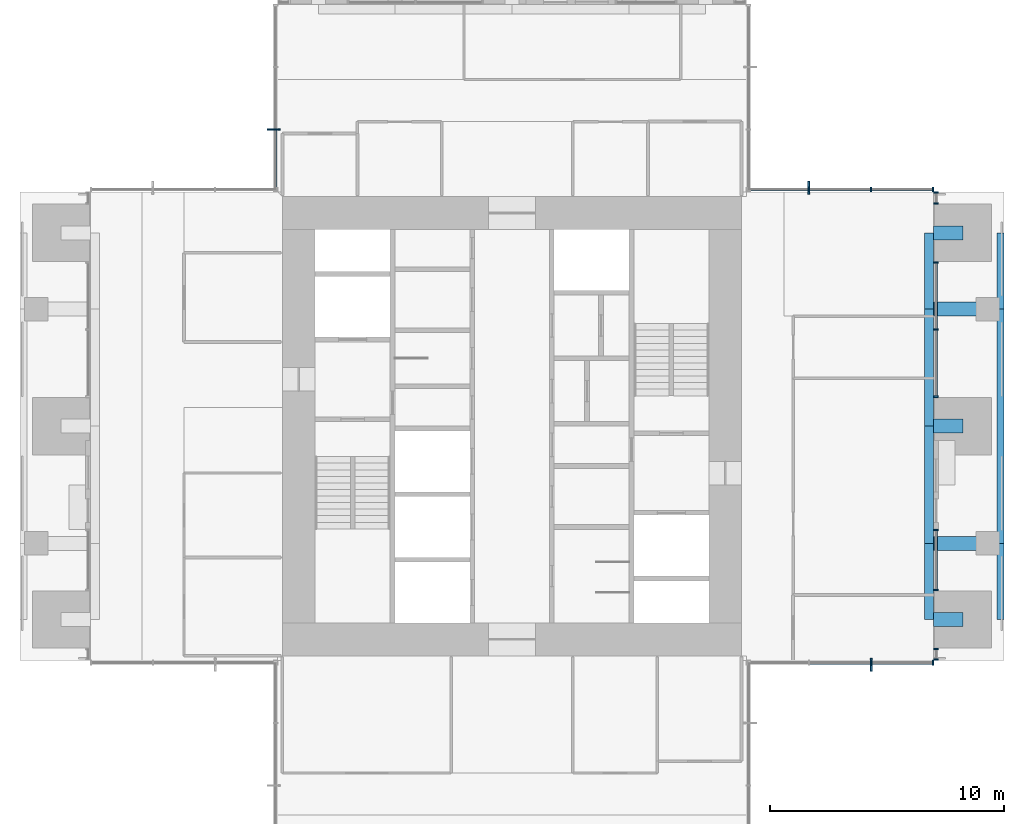
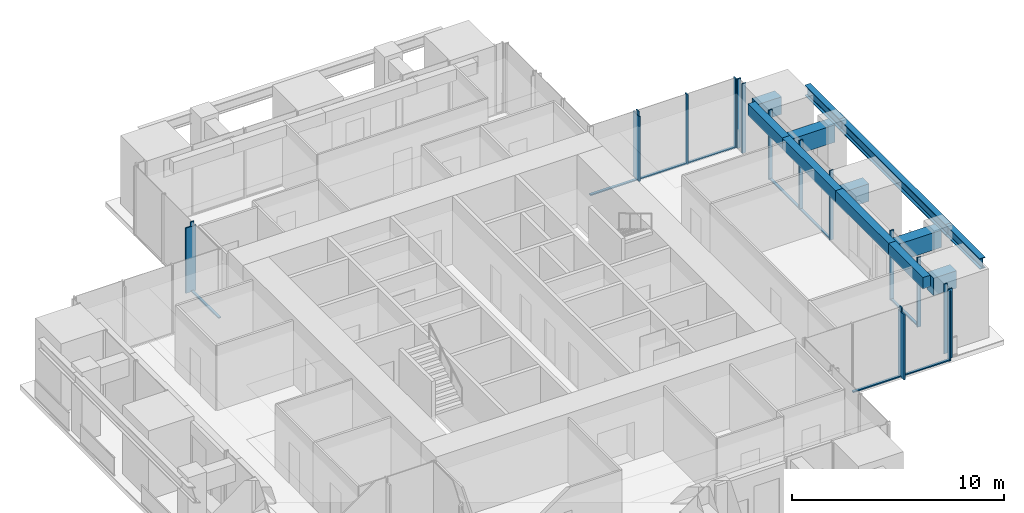
# One storey, part 4 of 17: 27 members, 12 beams, 7 elements without a shape of their own.
"""IFC4 building model written with IfcOpenShell, lengths in metres."""

from ifc_helpers import new_model, si_unit, direction, frame, origin, origin_2d, place, context, subcontext, project, spatial, rectangle, i_section, extrude, material, material_profile, profile_set, type_object, element, aggregate, save


model = new_model("IFC4")

# Units and contexts
model_context = context("Model", 3, precision=1e-05, world=origin(), true_north=direction((0.0, 1.0)))
body_context = subcontext(model_context, "Body", "Model", "MODEL_VIEW")
ifc_project = project(units=[si_unit("LENGTHUNIT", "METRE"), si_unit("AREAUNIT", "SQUARE_METRE"), si_unit("VOLUMEUNIT", "CUBIC_METRE"), si_unit("PLANEANGLEUNIT", "RADIAN"), si_unit("MASSUNIT", "GRAM", prefix="KILO")], contexts=[model_context])

# Site, building, storey
site_placement = place(None, origin())
site = spatial("IfcSite", under=ifc_project, at=site_placement, CompositionType="ELEMENT")
building_placement = place(site_placement, origin())
building = spatial("IfcBuilding", under=site, at=building_placement, Name="Svetlomir Tower", CompositionType="ELEMENT")
storey_placement = place(building_placement, frame((0.0, 0.0, 178.5)))
storey = spatial("IfcBuildingStorey", under=building, at=storey_placement, Name="L42", CompositionType="ELEMENT", Elevation=178.5)

# Curtain wall, member
ifc_material_1 = material(Name="Bronze anodised aluminium curtain wall", Category="aluminium")
curtain_wall_type = type_object("IfcCurtainWallType", Name="CURTAIN WALL CW1 TOWER OFFICE", PredefinedType="NOTDEFINED", material=ifc_material_1)
curtain_wall_1_placement = place(storey_placement, origin())
curtain_wall_1 = element("IfcCurtainWall", 1, at=curtain_wall_1_placement, inside=storey, type_object=curtain_wall_type, Name="Curtain wall CW1 L42", PredefinedType="NOTDEFINED")
ifc_material_2 = material(Name="Bronze anodised aluminium", Category="aluminium")
ifc_material_profile_1 = material_profile(ifc_material_2, rectangle(XDim=0.080078125, YDim=0.550048828125, at=origin_2d()), Name="FIN 80x550")
ifc_profile_set_1 = profile_set([ifc_material_profile_1], Name="Bronze anodised aluminium 6063-T6")
member_type_1 = type_object("IfcMemberType", Name="BRONZE FIN 80x550", PredefinedType="USERDEFINED", material=ifc_profile_set_1)
member_1_placement = place(storey_placement, frame((36.333251953125, 10.824951171875, 0.0), z_axis=(0.0, 0.0, 1.0), x_axis=(1.0, 0.0, 0.0)))
member_1 = element("IfcMember", 2, at=member_1_placement, type_object=member_type_1, Name="Bronze fin L42", ObjectType="FIN", PredefinedType="USERDEFINED", context=body_context, shape_type="SweptSolid", body=[
    extrude(rectangle(XDim=0.080078125, YDim=0.550048828125, at=origin_2d()), origin(), (0.0, 0.0, 1.0), 3.75),
])

curtain_wall_2_placement = place(storey_placement, origin())
curtain_wall_2 = element("IfcCurtainWall", 3, at=curtain_wall_2_placement, inside=storey, type_object=curtain_wall_type, Name="Curtain wall CW1 L42", PredefinedType="NOTDEFINED")
member_2_placement = place(storey_placement, frame((33.666748046875, 31.175048828125, 0.0), z_axis=(0.0, 0.0, 1.0), x_axis=(1.0, 0.0, 0.0)))
member_2 = element("IfcMember", 4, at=member_2_placement, type_object=member_type_1, Name="Bronze fin L42", ObjectType="FIN", PredefinedType="USERDEFINED", context=body_context, shape_type="SweptSolid", body=[
    extrude(rectangle(XDim=0.080078125, YDim=0.550048828125, at=origin_2d()), origin(), (0.0, 0.0, 1.0), 3.75),
])

curtain_wall_3_placement = place(storey_placement, origin())
curtain_wall_3 = element("IfcCurtainWall", 5, at=curtain_wall_3_placement, inside=storey, type_object=curtain_wall_type, Name="Curtain wall CW1 L42", PredefinedType="NOTDEFINED")
member_3_placement = place(storey_placement, frame((10.824951171875, 33.666748046875, 0.0), z_axis=(0.0, 0.0, 1.0), x_axis=(0.0, 1.0, 0.0)))
member_3 = element("IfcMember", 6, at=member_3_placement, type_object=member_type_1, Name="Bronze fin L42", ObjectType="FIN", PredefinedType="USERDEFINED", context=body_context, shape_type="SweptSolid", body=[
    extrude(rectangle(XDim=0.080078125, YDim=0.550048828125, at=origin_2d()), origin(), (0.0, 0.0, 1.0), 3.75),
])

# Member
ifc_material_3 = material(Name="Bronze anodised aluminium", Category="aluminium")
ifc_material_profile_2 = material_profile(ifc_material_3, rectangle(XDim=0.06494140625, YDim=0.199951171875, at=origin_2d()), Name="AL 65x200")
ifc_profile_set_2 = profile_set([ifc_material_profile_2], Name="Bronze anodised aluminium 6063-T6")
member_type_2 = type_object("IfcMemberType", Name="CW1 MULLION 65x200", PredefinedType="MULLION", material=ifc_profile_set_2)
member_4_placement = place(storey_placement, frame((36.333251953125, 10.89990234375, 0.0), z_axis=(0.0, 0.0, 1.0), x_axis=(1.0, 0.0, 0.0)))
member_4 = element("IfcMember", 7, at=member_4_placement, type_object=member_type_2, Name="CW1 mullion 3", PredefinedType="MULLION", context=body_context, shape_type="SweptSolid", body=[
    extrude(rectangle(XDim=0.06494140625, YDim=0.199951171875, at=origin_2d()), origin(), (0.0, 0.0, 1.0), 4.0),
])

member_5_placement = place(storey_placement, frame((38.967529296875, 10.89990234375, 0.0), z_axis=(0.0, 0.0, 1.0), x_axis=(1.0, 0.0, 0.0)))
member_5 = element("IfcMember", 8, at=member_5_placement, type_object=member_type_2, Name="CW1 mullion 4", PredefinedType="MULLION", context=body_context, shape_type="SweptSolid", body=[
    extrude(rectangle(XDim=0.06494140625, YDim=0.199951171875, at=origin_2d()), origin(), (0.0, 0.0, 1.0), 4.0),
])

# Curtain wall, members
curtain_wall_4_placement = place(storey_placement, origin())
curtain_wall_4 = element("IfcCurtainWall", 9, at=curtain_wall_4_placement, inside=storey, type_object=curtain_wall_type, Name="Curtain wall CW1 L42", PredefinedType="NOTDEFINED")
member_6_placement = place(storey_placement, frame((39.10009765625, 11.032470703125, 0.0), z_axis=(0.0, 0.0, 1.0), x_axis=(0.0, 1.0, 0.0)))
member_6 = element("IfcMember", 10, at=member_6_placement, type_object=member_type_2, Name="CW1 mullion 1", PredefinedType="MULLION", context=body_context, shape_type="SweptSolid", body=[
    extrude(rectangle(XDim=0.06494140625, YDim=0.199951171875, at=origin_2d()), origin(), (0.0, 0.0, 1.0), 4.0),
])
member_7_placement = place(storey_placement, frame((39.10009765625, 11.492431640625, 0.0), z_axis=(0.0, 0.0, 1.0), x_axis=(0.0, 1.0, 0.0)))
member_7 = element("IfcMember", 11, at=member_7_placement, type_object=member_type_2, Name="CW1 mullion 2", PredefinedType="MULLION", context=body_context, shape_type="SweptSolid", body=[
    extrude(rectangle(XDim=0.06494140625, YDim=0.199951171875, at=origin_2d()), origin(), (0.0, 0.0, 1.0), 4.0),
])
aggregate(curtain_wall_4, [member_6, member_7])

curtain_wall_5_placement = place(storey_placement, origin())
curtain_wall_5 = element("IfcCurtainWall", 12, at=curtain_wall_5_placement, inside=storey, type_object=curtain_wall_type, Name="Curtain wall CW1 L42", PredefinedType="NOTDEFINED")
member_8_placement = place(storey_placement, frame((39.10009765625, 14.007568359375, 0.0), z_axis=(0.0, 0.0, 1.0), x_axis=(0.0, 1.0, 0.0)))
member_8 = element("IfcMember", 13, at=member_8_placement, type_object=member_type_2, Name="CW1 mullion 1", PredefinedType="MULLION", context=body_context, shape_type="SweptSolid", body=[
    extrude(rectangle(XDim=0.06494140625, YDim=0.199951171875, at=origin_2d()), origin(), (0.0, 0.0, 1.0), 4.0),
])
member_9_placement = place(storey_placement, frame((39.10009765625, 16.5673828125, 0.0), z_axis=(0.0, 0.0, 1.0), x_axis=(0.0, 1.0, 0.0)))
member_9 = element("IfcMember", 14, at=member_9_placement, type_object=member_type_2, Name="CW1 mullion 2", PredefinedType="MULLION", context=body_context, shape_type="SweptSolid", body=[
    extrude(rectangle(XDim=0.06494140625, YDim=0.199951171875, at=origin_2d()), origin(), (0.0, 0.0, 1.0), 4.0),
])

curtain_wall_6_placement = place(storey_placement, origin())
curtain_wall_6 = element("IfcCurtainWall", 15, at=curtain_wall_6_placement, inside=storey, type_object=curtain_wall_type, Name="Curtain wall CW1 L42", PredefinedType="NOTDEFINED")
member_10_placement = place(storey_placement, frame((39.10009765625, 22.257568359375, 0.0), z_axis=(0.0, 0.0, 1.0), x_axis=(0.0, 1.0, 0.0)))
member_10 = element("IfcMember", 16, at=member_10_placement, type_object=member_type_2, Name="CW1 mullion 1", PredefinedType="MULLION", context=body_context, shape_type="SweptSolid", body=[
    extrude(rectangle(XDim=0.06494140625, YDim=0.199951171875, at=origin_2d()), origin(), (0.0, 0.0, 1.0), 4.0),
])
member_11_placement = place(storey_placement, frame((39.10009765625, 25.125, 0.0), z_axis=(0.0, 0.0, 1.0), x_axis=(0.0, 1.0, 0.0)))
member_11 = element("IfcMember", 17, at=member_11_placement, type_object=member_type_2, Name="CW1 mullion 2", PredefinedType="MULLION", context=body_context, shape_type="SweptSolid", body=[
    extrude(rectangle(XDim=0.06494140625, YDim=0.199951171875, at=origin_2d()), origin(), (0.0, 0.0, 1.0), 4.0),
])
member_12_placement = place(storey_placement, frame((39.10009765625, 27.992431640625, 0.0), z_axis=(0.0, 0.0, 1.0), x_axis=(0.0, 1.0, 0.0)))
member_12 = element("IfcMember", 18, at=member_12_placement, type_object=member_type_2, Name="CW1 mullion 3", PredefinedType="MULLION", context=body_context, shape_type="SweptSolid", body=[
    extrude(rectangle(XDim=0.06494140625, YDim=0.199951171875, at=origin_2d()), origin(), (0.0, 0.0, 1.0), 4.0),
])

curtain_wall_7_placement = place(storey_placement, origin())
curtain_wall_7 = element("IfcCurtainWall", 19, at=curtain_wall_7_placement, inside=storey, type_object=curtain_wall_type, Name="Curtain wall CW1 L42", PredefinedType="NOTDEFINED")
member_13_placement = place(storey_placement, frame((39.10009765625, 30.507568359375, 0.0), z_axis=(0.0, 0.0, 1.0), x_axis=(0.0, 1.0, 0.0)))
member_13 = element("IfcMember", 20, at=member_13_placement, type_object=member_type_2, Name="CW1 mullion 1", PredefinedType="MULLION", context=body_context, shape_type="SweptSolid", body=[
    extrude(rectangle(XDim=0.06494140625, YDim=0.199951171875, at=origin_2d()), origin(), (0.0, 0.0, 1.0), 4.0),
])
member_14_placement = place(storey_placement, frame((39.10009765625, 30.967529296875, 0.0), z_axis=(0.0, 0.0, 1.0), x_axis=(0.0, 1.0, 0.0)))
member_14 = element("IfcMember", 21, at=member_14_placement, type_object=member_type_2, Name="CW1 mullion 2", PredefinedType="MULLION", context=body_context, shape_type="SweptSolid", body=[
    extrude(rectangle(XDim=0.06494140625, YDim=0.199951171875, at=origin_2d()), origin(), (0.0, 0.0, 1.0), 4.0),
])
aggregate(curtain_wall_7, [member_13, member_14])

# Member
member_15_placement = place(storey_placement, frame((38.967529296875, 31.10009765625, 0.0), z_axis=(0.0, 0.0, 1.0), x_axis=(-1.0, 0.0, 0.0)))
member_15 = element("IfcMember", 22, at=member_15_placement, type_object=member_type_2, Name="CW1 mullion 1", PredefinedType="MULLION", context=body_context, shape_type="SweptSolid", body=[
    extrude(rectangle(XDim=0.06494140625, YDim=0.199951171875, at=origin_2d()), origin(), (0.0, 0.0, 1.0), 4.0),
])

member_16_placement = place(storey_placement, frame((36.333251953125, 31.10009765625, 0.0), z_axis=(0.0, 0.0, 1.0), x_axis=(-1.0, 0.0, 0.0)))
member_16 = element("IfcMember", 23, at=member_16_placement, type_object=member_type_2, Name="CW1 mullion 2", PredefinedType="MULLION", context=body_context, shape_type="SweptSolid", body=[
    extrude(rectangle(XDim=0.06494140625, YDim=0.199951171875, at=origin_2d()), origin(), (0.0, 0.0, 1.0), 4.0),
])

member_17_placement = place(storey_placement, frame((33.666748046875, 31.10009765625, 0.0), z_axis=(0.0, 0.0, 1.0), x_axis=(-1.0, 0.0, 0.0)))
member_17 = element("IfcMember", 24, at=member_17_placement, type_object=member_type_2, Name="CW1 mullion 3", PredefinedType="MULLION", context=body_context, shape_type="SweptSolid", body=[
    extrude(rectangle(XDim=0.06494140625, YDim=0.199951171875, at=origin_2d()), origin(), (0.0, 0.0, 1.0), 4.0),
])

member_18_placement = place(storey_placement, frame((10.89990234375, 33.666748046875, 0.0), z_axis=(0.0, 0.0, 1.0), x_axis=(0.0, -1.0, 0.0)))
member_18 = element("IfcMember", 25, at=member_18_placement, type_object=member_type_2, Name="CW1 mullion 3", PredefinedType="MULLION", context=body_context, shape_type="SweptSolid", body=[
    extrude(rectangle(XDim=0.06494140625, YDim=0.199951171875, at=origin_2d()), origin(), (0.0, 0.0, 1.0), 4.0),
])

ifc_material_4 = material(Name="Bronze anodised aluminium", Category="aluminium")
ifc_material_profile_3 = material_profile(ifc_material_4, rectangle(XDim=0.139892578125, YDim=0.06494140625, at=origin_2d()), Name="AL 140x65")
ifc_profile_set_3 = profile_set([ifc_material_profile_3], Name="Bronze anodised aluminium 6063-T6")
member_type_3 = type_object("IfcMemberType", Name="CW1 TRANSOM 65x140", PredefinedType="USERDEFINED", material=ifc_profile_set_3)
member_19_placement = place(storey_placement, frame((33.69921875, 10.89990234375, 0.032470703125), z_axis=(1.0, 0.0, 0.0), x_axis=(0.0, 1.0, 0.0)))
member_19 = element("IfcMember", 26, at=member_19_placement, type_object=member_type_3, Name="CW1 transom 2.1", ObjectType="TRANSOM", PredefinedType="USERDEFINED", context=body_context, shape_type="SweptSolid", body=[
    extrude(rectangle(XDim=0.139892578125, YDim=0.06494140625, at=origin_2d()), origin(), (0.0, 0.0, 1.0), 2.6015625),
])

member_20_placement = place(storey_placement, frame((36.36572265625, 10.89990234375, 0.032470703125), z_axis=(1.0, 0.0, 0.0), x_axis=(0.0, 1.0, 0.0)))
member_20 = element("IfcMember", 27, at=member_20_placement, type_object=member_type_3, Name="CW1 transom 3.1", ObjectType="TRANSOM", PredefinedType="USERDEFINED", context=body_context, shape_type="SweptSolid", body=[
    extrude(rectangle(XDim=0.139892578125, YDim=0.06494140625, at=origin_2d()), origin(), (0.0, 0.0, 1.0), 2.5693359375),
])

aggregate(curtain_wall_1, [member_4, member_5, member_19, member_20, member_1])

member_21_placement = place(storey_placement, frame((39.10009765625, 14.0400390625, 0.032470703125), z_axis=(0.0, 1.0, 0.0), x_axis=(-1.0, 0.0, 0.0)))
member_21 = element("IfcMember", 28, at=member_21_placement, type_object=member_type_3, Name="CW1 transom 1.1", ObjectType="TRANSOM", PredefinedType="USERDEFINED", context=body_context, shape_type="SweptSolid", body=[
    extrude(rectangle(XDim=0.139892578125, YDim=0.06494140625, at=origin_2d()), origin(), (0.0, 0.0, 1.0), 2.494873046875),
])

aggregate(curtain_wall_5, [member_8, member_9, member_21])

member_22_placement = place(storey_placement, frame((39.10009765625, 22.2900390625, 0.032470703125), z_axis=(0.0, 1.0, 0.0), x_axis=(-1.0, 0.0, 0.0)))
member_22 = element("IfcMember", 29, at=member_22_placement, type_object=member_type_3, Name="CW1 transom 1.1", ObjectType="TRANSOM", PredefinedType="USERDEFINED", context=body_context, shape_type="SweptSolid", body=[
    extrude(rectangle(XDim=0.139892578125, YDim=0.06494140625, at=origin_2d()), origin(), (0.0, 0.0, 1.0), 2.802490234375),
])

member_23_placement = place(storey_placement, frame((39.10009765625, 25.157470703125, 0.032470703125), z_axis=(0.0, 1.0, 0.0), x_axis=(-1.0, 0.0, 0.0)))
member_23 = element("IfcMember", 30, at=member_23_placement, type_object=member_type_3, Name="CW1 transom 2.1", ObjectType="TRANSOM", PredefinedType="USERDEFINED", context=body_context, shape_type="SweptSolid", body=[
    extrude(rectangle(XDim=0.139892578125, YDim=0.06494140625, at=origin_2d()), origin(), (0.0, 0.0, 1.0), 2.802490234375),
])

aggregate(curtain_wall_6, [member_10, member_11, member_12, member_22, member_23])

member_24_placement = place(storey_placement, frame((38.93505859375, 31.10009765625, 0.032470703125), z_axis=(-1.0, 0.0, 0.0), x_axis=(0.0, -1.0, 0.0)))
member_24 = element("IfcMember", 31, at=member_24_placement, type_object=member_type_3, Name="CW1 transom 1.1", ObjectType="TRANSOM", PredefinedType="USERDEFINED", context=body_context, shape_type="SweptSolid", body=[
    extrude(rectangle(XDim=0.139892578125, YDim=0.06494140625, at=origin_2d()), origin(), (0.0, 0.0, 1.0), 2.5693359375),
])

member_25_placement = place(storey_placement, frame((36.30078125, 31.10009765625, 0.032470703125), z_axis=(-1.0, 0.0, 0.0), x_axis=(0.0, -1.0, 0.0)))
member_25 = element("IfcMember", 32, at=member_25_placement, type_object=member_type_3, Name="CW1 transom 2.1", ObjectType="TRANSOM", PredefinedType="USERDEFINED", context=body_context, shape_type="SweptSolid", body=[
    extrude(rectangle(XDim=0.139892578125, YDim=0.06494140625, at=origin_2d()), origin(), (0.0, 0.0, 1.0), 2.6015625),
])

member_26_placement = place(storey_placement, frame((33.63427734375, 31.10009765625, 0.032470703125), z_axis=(-1.0, 0.0, 0.0), x_axis=(0.0, -1.0, 0.0)))
member_26 = element("IfcMember", 33, at=member_26_placement, type_object=member_type_3, Name="CW1 transom 3.1", ObjectType="TRANSOM", PredefinedType="USERDEFINED", context=body_context, shape_type="SweptSolid", body=[
    extrude(rectangle(XDim=0.139892578125, YDim=0.06494140625, at=origin_2d()), origin(), (0.0, 0.0, 1.0), 2.5693359375),
])

aggregate(curtain_wall_2, [member_15, member_16, member_17, member_24, member_25, member_26, member_2])

member_27_placement = place(storey_placement, frame((10.89990234375, 33.63427734375, 0.032470703125), z_axis=(0.0, -1.0, 0.0), x_axis=(1.0, 0.0, 0.0)))
member_27 = element("IfcMember", 34, at=member_27_placement, type_object=member_type_3, Name="CW1 transom 3.1", ObjectType="TRANSOM", PredefinedType="USERDEFINED", context=body_context, shape_type="SweptSolid", body=[
    extrude(rectangle(XDim=0.139892578125, YDim=0.06494140625, at=origin_2d()), origin(), (0.0, 0.0, 1.0), 2.5693359375),
])

aggregate(curtain_wall_3, [member_18, member_27, member_3])

# Beams
ifc_material_5 = material(Name="Steel S355", Category="steel")
ifc_material_profile_4 = material_profile(ifc_material_5, i_section(OverallWidth=0.304931640625, OverallDepth=0.6201171875, WebThickness=0.02099609375, FlangeThickness=0.0400390625, FilletRadius=0.027099609375, at=origin_2d()), Name="HEM 600")
ifc_profile_set_4 = profile_set([ifc_material_profile_4], Name="Steel S355")
beam_type_1 = type_object("IfcBeamType", Name="EDGE BEAM HEM 600", PredefinedType="SPANDREL", material=ifc_profile_set_4)
beam_1_placement = place(storey_placement, frame((41.847412109375, 12.75, 3.43994140625), z_axis=(0.0, 1.0, 0.0), x_axis=(-1.0, 0.0, 0.0)))
element("IfcBeam", 35, at=beam_1_placement, inside=storey, type_object=beam_type_1, Name="Edge beam 42/11 to 42/16 under L43", PredefinedType="SPANDREL", context=body_context, shape_type="SweptSolid", body=[
    extrude(i_section(OverallWidth=0.304931640625, OverallDepth=0.6201171875, WebThickness=0.02099609375, FlangeThickness=0.0400390625, FilletRadius=0.027099609375, at=origin_2d()), origin(), (0.0, 0.0, 1.0), 3.25),
])
beam_2_placement = place(storey_placement, frame((41.847412109375, 16.0, 3.43994140625), z_axis=(0.0, 1.0, 0.0), x_axis=(-1.0, 0.0, 0.0)))
element("IfcBeam", 36, at=beam_2_placement, inside=storey, type_object=beam_type_1, Name="Edge beam 42/16 to 42/26 under L43", PredefinedType="SPANDREL", context=body_context, shape_type="SweptSolid", body=[
    extrude(i_section(OverallWidth=0.304931640625, OverallDepth=0.6201171875, WebThickness=0.02099609375, FlangeThickness=0.0400390625, FilletRadius=0.027099609375, at=origin_2d()), origin(), (0.0, 0.0, 1.0), 10.0),
])
beam_3_placement = place(storey_placement, frame((41.847412109375, 26.0, 3.43994140625), z_axis=(0.0, 1.0, 0.0), x_axis=(-1.0, 0.0, 0.0)))
element("IfcBeam", 37, at=beam_3_placement, inside=storey, type_object=beam_type_1, Name="Edge beam 42/26 to 42/31 under L43", PredefinedType="SPANDREL", context=body_context, shape_type="SweptSolid", body=[
    extrude(i_section(OverallWidth=0.304931640625, OverallDepth=0.6201171875, WebThickness=0.02099609375, FlangeThickness=0.0400390625, FilletRadius=0.027099609375, at=origin_2d()), origin(), (0.0, 0.0, 1.0), 3.25),
])
ifc_material_6 = material(Name="Concrete C60/75", Category="concrete")
ifc_material_profile_5 = material_profile(ifc_material_6, rectangle(XDim=0.39990234375, YDim=0.64990234375, at=origin_2d()), Name="RC 400x650")
ifc_profile_set_5 = profile_set([ifc_material_profile_5], Name="Concrete C60/75")
beam_type_2 = type_object("IfcBeamType", Name="FACADE EDGE BEAM RC 400x650", PredefinedType="BEAM", material=ifc_profile_set_5)
beam_4_placement = place(storey_placement, frame((38.800048828125, 12.75, 3.425048828125), z_axis=(0.0, 1.0, 0.0), x_axis=(-1.0, 0.0, 0.0)))
element("IfcBeam", 38, at=beam_4_placement, inside=storey, type_object=beam_type_2, Name="Facade edge beam E 11 to 16 under L43", PredefinedType="BEAM", context=body_context, shape_type="SweptSolid", body=[
    extrude(rectangle(XDim=0.39990234375, YDim=0.64990234375, at=origin_2d()), origin(), (0.0, 0.0, 1.0), 3.25),
])
for number, where, z_axis, x_axis, name in (
    (39, (38.800048828125, 16.0, 3.425048828125), (0.0, 1.0, 0.0), (-1.0, 0.0, 0.0), "Facade edge beam E 16 to 21 under L43"),
    (40, (38.800048828125, 21.0, 3.425048828125), (0.0, 1.0, 0.0), (-1.0, 0.0, 0.0), "Facade edge beam E 21 to 26 under L43"),
):
    element("IfcBeam", number, at=place(storey_placement, frame(where, z_axis=z_axis, x_axis=x_axis)), inside=storey, type_object=beam_type_2, Name=name, PredefinedType="BEAM", context=body_context, shape_type="SweptSolid", body=[
        extrude(rectangle(XDim=0.39990234375, YDim=0.64990234375, at=origin_2d()), origin(), (0.0, 0.0, 1.0), 5.0),
    ])
beam_5_placement = place(storey_placement, frame((38.800048828125, 26.0, 3.425048828125), z_axis=(0.0, 1.0, 0.0), x_axis=(-1.0, 0.0, 0.0)))
element("IfcBeam", 41, at=beam_5_placement, inside=storey, type_object=beam_type_2, Name="Facade edge beam E 26 to 31 under L43", PredefinedType="BEAM", context=body_context, shape_type="SweptSolid", body=[
    extrude(rectangle(XDim=0.39990234375, YDim=0.64990234375, at=origin_2d()), origin(), (0.0, 0.0, 1.0), 3.25),
])
ifc_material_7 = material(Name="Concrete C60/75", Category="concrete")
ifc_material_profile_6 = material_profile(ifc_material_7, rectangle(XDim=0.60009765625, YDim=1.0, at=origin_2d()), Name="RC 600x1000")
ifc_profile_set_6 = profile_set([ifc_material_profile_6], Name="Concrete C60/75")
beam_type_3 = type_object("IfcBeamType", Name="LOGGIA LINK BEAM RC 600x1000", PredefinedType="BEAM", material=ifc_profile_set_6)
beam_6_placement = place(storey_placement, frame((40.25, 12.75, 3.25), z_axis=(-1.0, 0.0, 0.0), x_axis=(0.0, -1.0, 0.0)))
element("IfcBeam", 42, at=beam_6_placement, inside=storey, type_object=beam_type_3, Name="Loggia link beam E 11 under L43", PredefinedType="BEAM", context=body_context, shape_type="SweptSolid", body=[
    extrude(rectangle(XDim=0.60009765625, YDim=1.0, at=origin_2d()), origin(), (0.0, 0.0, 1.0), 1.25),
])
beam_7_placement = place(storey_placement, frame((41.300048828125, 16.0, 3.25), z_axis=(-1.0, 0.0, 0.0), x_axis=(0.0, -1.0, 0.0)))
element("IfcBeam", 43, at=beam_7_placement, inside=storey, type_object=beam_type_3, Name="Loggia link beam E 16 under L43", PredefinedType="BEAM", context=body_context, shape_type="SweptSolid", body=[
    extrude(rectangle(XDim=0.60009765625, YDim=1.0, at=origin_2d()), origin(), (0.0, 0.0, 1.0), 2.300048828125),
])
beam_8_placement = place(storey_placement, frame((40.25, 21.0, 3.25), z_axis=(-1.0, 0.0, 0.0), x_axis=(0.0, -1.0, 0.0)))
element("IfcBeam", 44, at=beam_8_placement, inside=storey, type_object=beam_type_3, Name="Loggia link beam E 21 under L43", PredefinedType="BEAM", context=body_context, shape_type="SweptSolid", body=[
    extrude(rectangle(XDim=0.60009765625, YDim=1.0, at=origin_2d()), origin(), (0.0, 0.0, 1.0), 1.25),
])
beam_9_placement = place(storey_placement, frame((41.300048828125, 26.0, 3.25), z_axis=(-1.0, 0.0, 0.0), x_axis=(0.0, -1.0, 0.0)))
element("IfcBeam", 45, at=beam_9_placement, inside=storey, type_object=beam_type_3, Name="Loggia link beam E 26 under L43", PredefinedType="BEAM", context=body_context, shape_type="SweptSolid", body=[
    extrude(rectangle(XDim=0.60009765625, YDim=1.0, at=origin_2d()), origin(), (0.0, 0.0, 1.0), 2.300048828125),
])
beam_10_placement = place(storey_placement, frame((40.25, 29.25, 3.25), z_axis=(-1.0, 0.0, 0.0), x_axis=(0.0, -1.0, 0.0)))
element("IfcBeam", 46, at=beam_10_placement, inside=storey, type_object=beam_type_3, Name="Loggia link beam E 31 under L43", PredefinedType="BEAM", context=body_context, shape_type="SweptSolid", body=[
    extrude(rectangle(XDim=0.60009765625, YDim=1.0, at=origin_2d()), origin(), (0.0, 0.0, 1.0), 1.25),
])

save(model, "model.ifc")
